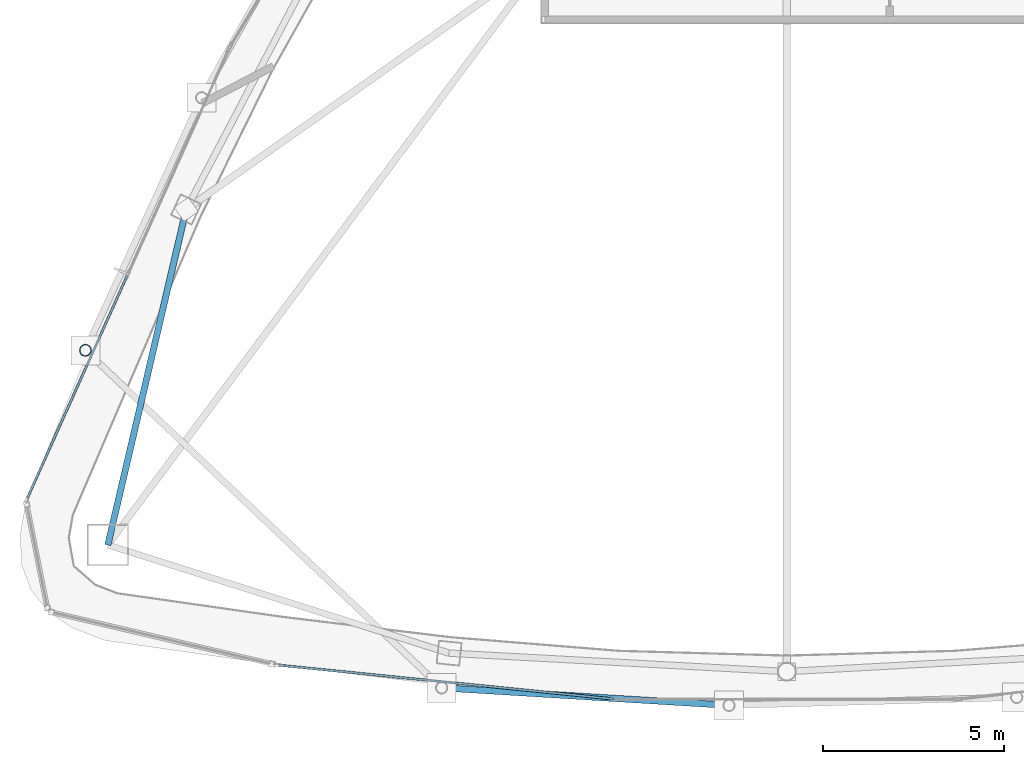
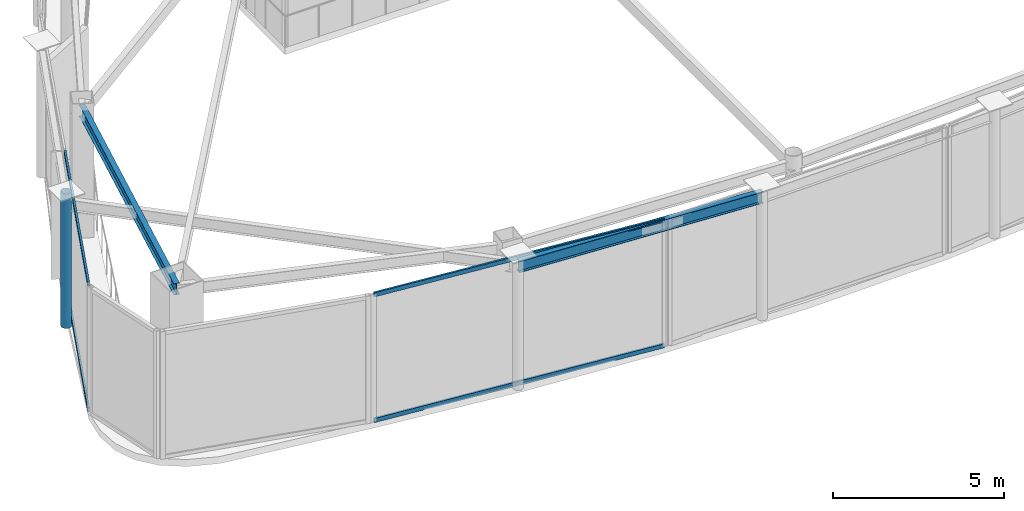
# One storey, part 3 of 20: 5 members, 2 beams, 2 elements without a shape of their own.
"""IFC4 building model written with IfcOpenShell, lengths in metres."""

import ifcopenshell
import ifcopenshell.guid

model = None  # the IFC model being written
_history = None  # IfcOwnerHistory: only IFC2X3 demands one
_inside = {}  # id of a spatial element -> (the spatial element, [elements in it])
_under = {}  # id of a project, library or spatial element -> (it, [spatial elements below it])
_declared = {}  # id of a project -> (the project, [libraries it declares])
_typed = {}  # id of a type object -> (the type object, [elements of that type])
_made_of = {}  # id of a material, layer set ... -> (it, [elements and type objects made of it])


def new_model(schema):
    """Start an empty IFC model of exactly this schema.

    Asked for "IFC4X3", IfcOpenShell would pick the latest addendum, in which some entities
    have other attributes; the version numbers below select the first issue.
    IFC2X3 requires an IfcOwnerHistory on every rooted entity: one is made here for all.
    """
    global model, _history
    if schema == "IFC4X3":
        model = ifcopenshell.file(schema_version=(4, 3, 0, 0))
    else:
        model = ifcopenshell.file(schema=schema)
    _inside.clear()
    _under.clear()
    _declared.clear()
    _typed.clear()
    _made_of.clear()
    _history = None
    if model.schema == "IFC2X3":
        org = make("IfcOrganization", Name="unknown")
        user = make(
            "IfcPersonAndOrganization",
            ThePerson=make("IfcPerson", FamilyName="unknown"),
            TheOrganization=org,
        )
        app = make(
            "IfcApplication",
            ApplicationDeveloper=org,
            Version="unknown",
            ApplicationFullName="unknown",
            ApplicationIdentifier="unknown",
        )
        _history = make(
            "IfcOwnerHistory",
            OwningUser=user,
            OwningApplication=app,
            ChangeAction="ADDED",
            CreationDate=0,
        )
    return model


def make(cls, **values):
    """One entity of the class cls with the attributes given. An attribute that is None is left unset."""
    return model.create_entity(
        cls, **{name: value for name, value in values.items() if value is not None}
    )


def rooted(cls, **values):
    """An entity with a GlobalId (a new one), such as an element, a storey or a relation."""
    return make(cls, GlobalId=ifcopenshell.guid.new(), OwnerHistory=_history, **values)


def si_unit(unit_type, name, prefix=None):
    """IfcSIUnit, for example si_unit("LENGTHUNIT", "METRE", prefix="MILLI")."""
    return make("IfcSIUnit", UnitType=unit_type, Prefix=prefix, Name=name)


def assignment(units):
    """IfcUnitAssignment: the units of a project."""
    return None if units is None else make("IfcUnitAssignment", Units=units)


def point(xyz):
    """IfcCartesianPoint."""
    return None if xyz is None else make("IfcCartesianPoint", Coordinates=xyz)


def direction(xyz):
    """IfcDirection."""
    return None if xyz is None else make("IfcDirection", DirectionRatios=xyz)


def frame(location, z_axis=None, x_axis=None):
    """IfcAxis2Placement3D, a coordinate frame: its origin and axes. An axis left out is left unset."""
    return make(
        "IfcAxis2Placement3D",
        Location=point(location),
        Axis=direction(z_axis),
        RefDirection=direction(x_axis),
    )


def frame_2d(location, x_axis=None):
    """IfcAxis2Placement2D, a coordinate frame in the plane: its origin and x axis."""
    return make(
        "IfcAxis2Placement2D", Location=point(location), RefDirection=direction(x_axis)
    )


def origin():
    """The frame at (0, 0, 0) with its axes left unset."""
    return frame((0.0, 0.0, 0.0))


def origin_2d():
    """The frame at (0, 0) in the plane with its x axis left unset."""
    return frame_2d((0.0, 0.0))


def place(relative_to, where):
    """IfcLocalPlacement: puts the frame where relative to a parent placement (None: the world)."""
    return make(
        "IfcLocalPlacement", PlacementRelTo=relative_to, RelativePlacement=where
    )


def context(
    kind, dimensions, precision=None, world=None, true_north=None, identifier=None
):
    """IfcGeometricRepresentationContext, for example the 3D "Model" context."""
    return make(
        "IfcGeometricRepresentationContext",
        ContextIdentifier=identifier,
        ContextType=kind,
        CoordinateSpaceDimension=dimensions,
        Precision=precision,
        WorldCoordinateSystem=world,
        TrueNorth=true_north,
    )


def subcontext(parent, identifier, kind, view, scale=None):
    """IfcGeometricRepresentationSubContext, for example "Body" below "Model"."""
    return make(
        "IfcGeometricRepresentationSubContext",
        ContextIdentifier=identifier,
        ContextType=kind,
        ParentContext=parent,
        TargetScale=scale,
        TargetView=view,
    )


def project(units=None, contexts=None):
    """IfcProject with its units and contexts."""
    return rooted(
        "IfcProject",
        Name="project",
        RepresentationContexts=contexts,
        UnitsInContext=assignment(units),
    )


def spatial(cls, under=None, at=None, **own):
    """A site, building, storey or space (cls), placed at a placement, below another one or the project."""
    s = rooted(cls, ObjectPlacement=at, **own)
    if under is not None:
        _under.setdefault(under.id(), (under, []))[1].append(s)
    return s


def profile(cls, at=None, kind="AREA", **sizes):
    """A parametric profile (cls). Its sizes go by their IFC names, for example OverallWidth=200.0."""
    return make(cls, ProfileType=kind, Position=at, **sizes)


def hollow_rectangle(**sizes):
    """IfcRectangleHollowProfileDef."""
    return profile("IfcRectangleHollowProfileDef", **sizes)


def hollow_circle(**sizes):
    """IfcCircleHollowProfileDef."""
    return profile("IfcCircleHollowProfileDef", **sizes)


def i_section(**sizes):
    """IfcIShapeProfileDef."""
    return profile("IfcIShapeProfileDef", **sizes)


def extrude(swept, where, along, depth):
    """IfcExtrudedAreaSolid: the profile swept, set in the frame where, extruded along a direction by depth."""
    return make(
        "IfcExtrudedAreaSolid",
        SweptArea=swept,
        Position=where,
        ExtrudedDirection=direction(along),
        Depth=depth,
    )


def shape(context_of_items, identifier, shape_type, items):
    """IfcShapeRepresentation: the items that make up one representation, for example the "Body"."""
    return make(
        "IfcShapeRepresentation",
        ContextOfItems=context_of_items,
        RepresentationIdentifier=identifier,
        RepresentationType=shape_type,
        Items=items,
    )


def material(Name=None, Category=None):
    """IfcMaterial."""
    return make("IfcMaterial", Name=Name, Category=Category)


def layer(
    of_material, thickness, ventilated=None, Name=None, Category=None, Priority=None
):
    """IfcMaterialLayer: one layer of a wall or slab, of a material (None: an air gap)."""
    return make(
        "IfcMaterialLayer",
        Material=of_material,
        LayerThickness=thickness,
        IsVentilated=ventilated,
        Name=Name,
        Category=Category,
        Priority=Priority,
    )


def layer_set(layers, Name=None):
    """IfcMaterialLayerSet."""
    return make("IfcMaterialLayerSet", MaterialLayers=layers, LayerSetName=Name)


def material_profile(
    of_material, cross_section, Name=None, Category=None, Priority=None
):
    """IfcMaterialProfile: a cross section and its material."""
    return make(
        "IfcMaterialProfile",
        Name=Name,
        Material=of_material,
        Profile=cross_section,
        Priority=Priority,
        Category=Category,
    )


def profile_set(profiles, Name=None, composite=None):
    """IfcMaterialProfileSet."""
    return make(
        "IfcMaterialProfileSet",
        Name=Name,
        MaterialProfiles=profiles,
        CompositeProfile=composite,
    )


def made_of(thing, what):
    """Note that an element or type object is made of a material, layer set ...; save() writes the relation."""
    if what is not None:
        _made_of.setdefault(what.id(), (what, []))[1].append(thing)
    return thing


def type_object(cls, material=None, **own):
    """A type object (cls), such as IfcWallType, which elements share."""
    return made_of(rooted(cls, **own), material)


def element(
    cls,
    number,
    at=None,
    inside=None,
    cuts=None,
    type_object=None,
    material=None,
    context=None,
    identifier="Body",
    shape_type=None,
    held_by="IfcProductDefinitionShape",
    body=None,
    shapes=None,
    **own,
):
    """One element of the class cls, such as IfcWall. Its Tag is "e" and its number.

    at: its placement. inside: the storey or other place that contains it. cuts: it is an
    opening in that element (IfcRelVoidsElement). A single representation is given by context,
    identifier, shape_type and body (its items); several are given by shapes. held_by: the class
    of the entity that holds the representations. save() writes the other relations.
    """
    e = rooted(cls, Tag="e%d" % number, ObjectPlacement=at, **own)
    if body is not None:
        shapes = [shape(context, identifier, shape_type, body)]
    if shapes is not None:
        e.Representation = make(held_by, Representations=shapes)
    if inside is not None:
        _inside.setdefault(inside.id(), (inside, []))[1].append(e)
    if cuts is not None:
        rooted(
            "IfcRelVoidsElement", RelatingBuildingElement=cuts, RelatedOpeningElement=e
        )
    if type_object is not None:
        _typed.setdefault(type_object.id(), (type_object, []))[1].append(e)
    return made_of(e, material)


def aggregate(whole, parts):
    """IfcRelAggregates: a whole, such as a stair, and the parts it consists of."""
    return rooted("IfcRelAggregates", RelatingObject=whole, RelatedObjects=parts)


def save(model, path):
    """Write the relations noted so far, then the file.

    IfcRelAggregates (storeys below a building ...), IfcRelContainedInSpatialStructure (elements
    in a storey), IfcRelDefinesByType, IfcRelAssociatesMaterial and IfcRelDeclares: one each for
    every whole, place, type object, material and project.
    """
    for whole, parts in _under.values():
        aggregate(whole, parts)
    for where, things in _inside.values():
        rooted(
            "IfcRelContainedInSpatialStructure",
            RelatedElements=things,
            RelatingStructure=where,
        )
    for kind, things in _typed.values():
        rooted("IfcRelDefinesByType", RelatedObjects=things, RelatingType=kind)
    for what, things in _made_of.values():
        rooted("IfcRelAssociatesMaterial", RelatedObjects=things, RelatingMaterial=what)
    for by, libraries in _declared.values():
        rooted("IfcRelDeclares", RelatingContext=by, RelatedDefinitions=libraries)
    model.write(path)


model = new_model("IFC4")

# Units and contexts
model_context = context("Model", 3, precision=1e-05, world=origin(), true_north=direction((0.0, 1.0)))
body_context = subcontext(model_context, "Body", "Model", "MODEL_VIEW")
ifc_project = project(units=[si_unit("LENGTHUNIT", "METRE"), si_unit("AREAUNIT", "SQUARE_METRE"), si_unit("VOLUMEUNIT", "CUBIC_METRE"), si_unit("PLANEANGLEUNIT", "RADIAN"), si_unit("MASSUNIT", "GRAM", prefix="KILO")], contexts=[model_context])

# Site, building, storey
site_placement = place(None, origin())
site = spatial("IfcSite", under=ifc_project, at=site_placement, CompositionType="ELEMENT")
building_placement = place(site_placement, origin())
building = spatial("IfcBuilding", under=site, at=building_placement, Name="Orvanel Arch Residences", CompositionType="ELEMENT")
storey_placement = place(building_placement, frame((0.0, 0.0, 300.5)))
storey = spatial("IfcBuildingStorey", under=building, at=storey_placement, Name="L84", CompositionType="ELEMENT", Elevation=300.5)

# Beams
ifc_material_1 = material(Name="Structural steel AS/NZS 3679.1 Grade 300 (300 MPa)", Category="steel")
ifc_material_profile_1 = material_profile(ifc_material_1, i_section(OverallWidth=0.177978515625, OverallDepth=0.406005859375, WebThickness=0.0078125, FlangeThickness=0.0126953125, at=origin_2d()), Name="410UB59.7")
ifc_profile_set_1 = profile_set([ifc_material_profile_1], Name="Structural steel AS/NZS 3679.1 Grade 300 (300 MPa)")
beam_type_1 = type_object("IfcBeamType", Name="OB-410UB", PredefinedType="SPANDREL", material=ifc_profile_set_1)
beam_1_placement = place(storey_placement, frame((16.366943359375, 19.64208984375, 4.346923828125), z_axis=(-0.227236087167, -0.973839699688, 0.0), x_axis=(0.973839699688, -0.227236087167, 0.0)))
element("IfcBeam", 1, at=beam_1_placement, inside=storey, type_object=beam_type_1, Name="L84 Perimeter Spandrel Beam 01", PredefinedType="SPANDREL", context=body_context, shape_type="SweptSolid", body=[
    extrude(i_section(OverallWidth=0.177978515625, OverallDepth=0.406005859375, WebThickness=0.0078125, FlangeThickness=0.0126953125, at=origin_2d()), origin(), (0.0, 0.0, 1.0), 9.54052734375),
])
ifc_material_profile_2 = material_profile(ifc_material_1, i_section(OverallWidth=0.177978515625, OverallDepth=0.406005859375, WebThickness=0.0078125, FlangeThickness=0.0126953125, at=origin_2d()), Name="410UB59.7")
ifc_profile_set_2 = profile_set([ifc_material_profile_2], Name="Structural steel AS/NZS 3679.1 Grade 300 (300 MPa)")
beam_type_2 = type_object("IfcBeamType", Name="OB-410UB-EXT", PredefinedType="SPANDREL", material=ifc_profile_set_2)
beam_2_placement = place(storey_placement, frame((23.44189453125, 6.39404296875, 4.346923828125), z_axis=(0.998146745254, -0.060852895889, 0.0), x_axis=(0.060852895889, 0.998146745254, 0.0)))
element("IfcBeam", 2, at=beam_2_placement, inside=storey, type_object=beam_type_2, Name="L84 Outer Perimeter Floor Ring Beam 05", PredefinedType="SPANDREL", context=body_context, shape_type="SweptSolid", body=[
    extrude(i_section(OverallWidth=0.177978515625, OverallDepth=0.406005859375, WebThickness=0.0078125, FlangeThickness=0.0126953125, at=origin_2d()), origin(), (0.0, 0.0, 1.0), 7.971923828125),
])

# Member
ifc_material_2 = material(Name="Structural steel AS/NZS 1163 C350L0 (Grade 350)", Category="steel")
ifc_material_profile_3 = material_profile(ifc_material_2, hollow_circle(Radius=0.162109375, WallThickness=0.0126953125, at=origin_2d()), Name="CHS324x12.7")
ifc_profile_set_3 = profile_set([ifc_material_profile_3], Name="Structural steel AS/NZS 1163 C350L0 (Grade 350)")
member_type_1 = type_object("IfcMemberType", Name="ST-324CHS-EXT", PredefinedType="STRUT", material=ifc_profile_set_3)
member_1_placement = place(storey_placement, frame((13.577880859375, 15.740966796875, 0.0), z_axis=(0.0, 0.0, 1.0), x_axis=(1.0, 0.0, 0.0)))
element("IfcMember", 3, at=member_1_placement, inside=storey, type_object=member_type_1, Name="L84 Outer Perimeter Frame Post 04", PredefinedType="STRUT", context=body_context, shape_type="SweptSolid", body=[
    extrude(hollow_circle(Radius=0.162109375, WallThickness=0.0126953125, at=origin_2d()), origin(), (0.0, 0.0, 1.0), 4.800048828125),
])

# Curtain wall, members
ifc_material_3 = material(Name="Bronze-anodised aluminium AA6063-T6", Category="aluminium")
ifc_layer = layer(ifc_material_3, 0.2099609375)
ifc_layer_set = layer_set([ifc_layer], Name="Bronze-anodised aluminium AA6063-T6")
curtain_wall_type = type_object("IfcCurtainWallType", Name="CW7-TOP-SYS", PredefinedType="NOTDEFINED", material=ifc_layer_set)
curtain_wall_1_placement = place(storey_placement, origin())
curtain_wall_1 = element("IfcCurtainWall", 4, at=curtain_wall_1_placement, inside=storey, type_object=curtain_wall_type, Name="L84 CW7-TOP-SYS Unitised Curtain Wall", PredefinedType="NOTDEFINED")
ifc_material_profile_4 = material_profile(ifc_material_3, hollow_rectangle(XDim=0.06494140625, YDim=0.14990234375, WallThickness=0.00390625, at=origin_2d()), Name="ALU150x65x4")
ifc_profile_set_4 = profile_set([ifc_material_profile_4], Name="Bronze-anodised aluminium AA6063-T6")
member_type_2 = type_object("IfcMemberType", Name="TRN-150x65", PredefinedType="USERDEFINED", material=ifc_profile_set_4)
member_2_placement = place(storey_placement, frame((14.734619140625, 17.811767578125, 0.032470703125), z_axis=(-0.409346580659, -0.912378965618, 0.0), x_axis=(0.912378965618, -0.409346580659, 0.0)))
member_2 = element("IfcMember", 5, at=member_2_placement, type_object=member_type_2, Name="CW-S7 transom 2.1", ObjectType="TRANSOM", PredefinedType="USERDEFINED", context=body_context, shape_type="SweptSolid", body=[
    extrude(hollow_rectangle(XDim=0.06494140625, YDim=0.14990234375, WallThickness=0.00390625, at=origin_2d()), origin(), (0.0, 0.0, 1.0), 6.751953125),
])
member_3_placement = place(storey_placement, frame((14.734619140625, 17.811767578125, 4.517578125), z_axis=(-0.409346580659, -0.912378965618, 0.0), x_axis=(0.912378965618, -0.409346580659, 0.0)))
member_3 = element("IfcMember", 6, at=member_3_placement, type_object=member_type_2, Name="CW-S7 transom 2.2", ObjectType="TRANSOM", PredefinedType="USERDEFINED", context=body_context, shape_type="SweptSolid", body=[
    extrude(hollow_rectangle(XDim=0.06494140625, YDim=0.14990234375, WallThickness=0.00390625, at=origin_2d()), origin(), (0.0, 0.0, 1.0), 6.751953125),
])
aggregate(curtain_wall_1, [member_2, member_3])

curtain_wall_2_placement = place(storey_placement, origin())
curtain_wall_2 = element("IfcCurtainWall", 7, at=curtain_wall_2_placement, inside=storey, type_object=curtain_wall_type, Name="L84 CW7-TOP-SYS Unitised Curtain Wall", PredefinedType="NOTDEFINED")
member_4_placement = place(storey_placement, frame((18.9326171875, 7.0224609375, 0.032470703125), z_axis=(0.994933979893, -0.100530471276, 0.0), x_axis=(0.100530471276, 0.994933979893, 0.0)))
member_4 = element("IfcMember", 8, at=member_4_placement, type_object=member_type_2, Name="CW-S7 transom 1.1", ObjectType="TRANSOM", PredefinedType="USERDEFINED", context=body_context, shape_type="SweptSolid", body=[
    extrude(hollow_rectangle(XDim=0.06494140625, YDim=0.14990234375, WallThickness=0.00390625, at=origin_2d()), origin(), (0.0, 0.0, 1.0), 9.298828125),
])
member_5_placement = place(storey_placement, frame((18.9326171875, 7.0224609375, 4.517578125), z_axis=(0.994933979893, -0.100530471276, 0.0), x_axis=(0.100530471276, 0.994933979893, 0.0)))
member_5 = element("IfcMember", 9, at=member_5_placement, type_object=member_type_2, Name="CW-S7 transom 1.2", ObjectType="TRANSOM", PredefinedType="USERDEFINED", context=body_context, shape_type="SweptSolid", body=[
    extrude(hollow_rectangle(XDim=0.06494140625, YDim=0.14990234375, WallThickness=0.00390625, at=origin_2d()), origin(), (0.0, 0.0, 1.0), 9.298828125),
])
aggregate(curtain_wall_2, [member_4, member_5])

save(model, "model.ifc")
